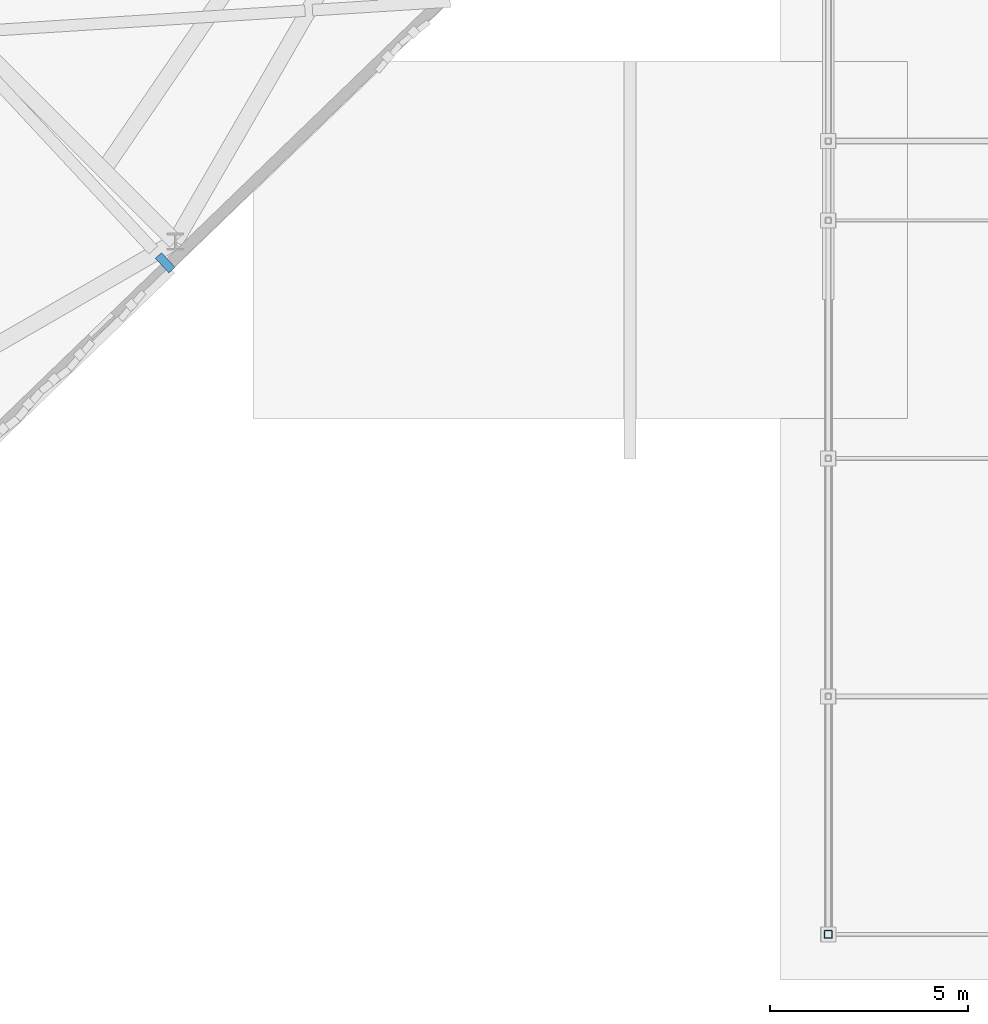
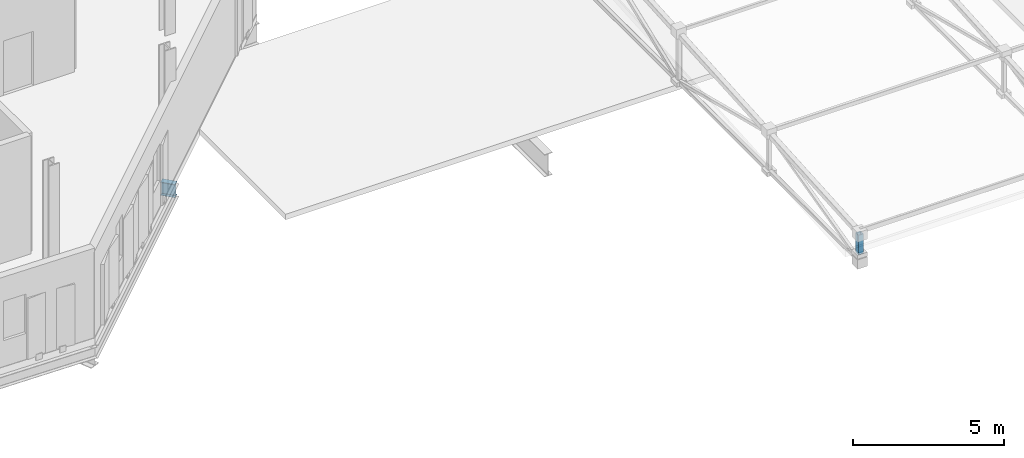
# One storey, part 57 of 85: 1 beam, 1 member.
"""IFC4 building model written with IfcOpenShell, lengths in metres."""

from ifc_helpers import new_model, si_unit, direction, frame, origin, origin_2d, place, context, subcontext, project, spatial, hollow_rectangle, i_section, extrude, material, material_profile, profile_set, type_object, element, save


model = new_model("IFC4")

# Units and contexts
model_context = context("Model", 3, precision=1e-05, world=origin(), true_north=direction((0.0, 1.0)))
body_context = subcontext(model_context, "Body", "Model", "MODEL_VIEW")
ifc_project = project(units=[si_unit("LENGTHUNIT", "METRE"), si_unit("AREAUNIT", "SQUARE_METRE"), si_unit("VOLUMEUNIT", "CUBIC_METRE"), si_unit("PLANEANGLEUNIT", "RADIAN"), si_unit("MASSUNIT", "GRAM", prefix="KILO"), si_unit("THERMODYNAMICTEMPERATUREUNIT", "KELVIN"), si_unit("POWERUNIT", "WATT")], contexts=[model_context])

# Site, building, storey
site_placement = place(None, origin())
site = spatial("IfcSite", under=ifc_project, at=site_placement, CompositionType="ELEMENT")
building_placement = place(site_placement, origin())
building = spatial("IfcBuilding", under=site, at=building_placement, Name="Zelmaris Science Centre", CompositionType="ELEMENT")
storey_placement = place(building_placement, frame((0.0, 0.0, 20.39990234375)))
storey = spatial("IfcBuildingStorey", under=building, at=storey_placement, Name="L04", CompositionType="ELEMENT", Elevation=20.39990234375)

# Beam
ifc_material_1 = material(Name="Steel ASTM A992 Grade 50", Category="steel")
ifc_material_profile_1 = material_profile(ifc_material_1, i_section(OverallWidth=0.2109375, OverallDepth=0.5380859375, WebThickness=0.01171875, FlangeThickness=0.018798828125, FilletRadius=0.013916015625, at=origin_2d()), Name="W21X73")
ifc_profile_set_1 = profile_set([ifc_material_profile_1], Name="Steel ASTM A992 Grade 50")
beam_type = type_object("IfcBeamType", Name="Beam G-19 W21X73", PredefinedType="BEAM", material=ifc_profile_set_1)
beam_placement = place(storey_placement, frame((91.113525390625, 25.11328125, -0.548828125), z_axis=(0.680581797807, -0.732672107081, 0.0), x_axis=(0.732672107081, 0.680581797807, 0.0)))
element("IfcBeam", 1, at=beam_placement, inside=storey, type_object=beam_type, Name="L04 Radial overhang girder 2", PredefinedType="BEAM", context=body_context, shape_type="SweptSolid", body=[
    extrude(i_section(OverallWidth=0.2109375, OverallDepth=0.5380859375, WebThickness=0.01171875, FlangeThickness=0.018798828125, FilletRadius=0.013916015625, at=origin_2d()), origin(), (0.0, 0.0, 1.0), 0.50146484375),
])

# Member
ifc_material_2 = material(Name="Steel ASTM A500 Grade C", Category="steel")
ifc_material_profile_2 = material_profile(ifc_material_2, hollow_rectangle(XDim=0.203125, YDim=0.203125, WallThickness=0.01171875, InnerFilletRadius=0.01171875, OuterFilletRadius=0.023681640625, at=origin_2d()), Name="HSS203X203X13")
ifc_profile_set_2 = profile_set([ifc_material_profile_2], Name="Steel ASTM A500 Grade C")
member_type = type_object("IfcMemberType", Name="Structural Brace BR-02 HSS203X203X13", PredefinedType="BRACE", material=ifc_profile_set_2)
member_placement = place(storey_placement, frame((108.0, 8.0, 1.25), z_axis=(0.0, 0.0, 1.0), x_axis=(1.0, 0.0, 0.0)))
element("IfcMember", 2, at=member_placement, inside=storey, type_object=member_type, Name="RF-V4 Roof truss 1 end post VS", PredefinedType="BRACE", context=body_context, shape_type="SweptSolid", body=[
    extrude(hollow_rectangle(XDim=0.203125, YDim=0.203125, WallThickness=0.01171875, InnerFilletRadius=0.01171875, OuterFilletRadius=0.023681640625, at=origin_2d()), origin(), (0.0, 0.0, 1.0), 0.7978515625),
])

save(model, "model.ifc")
